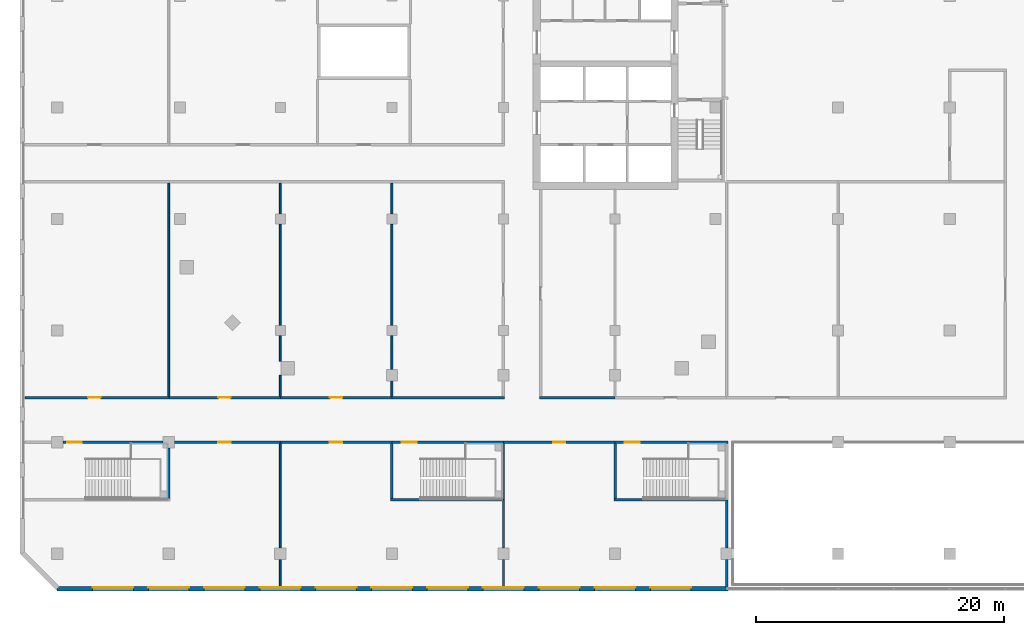
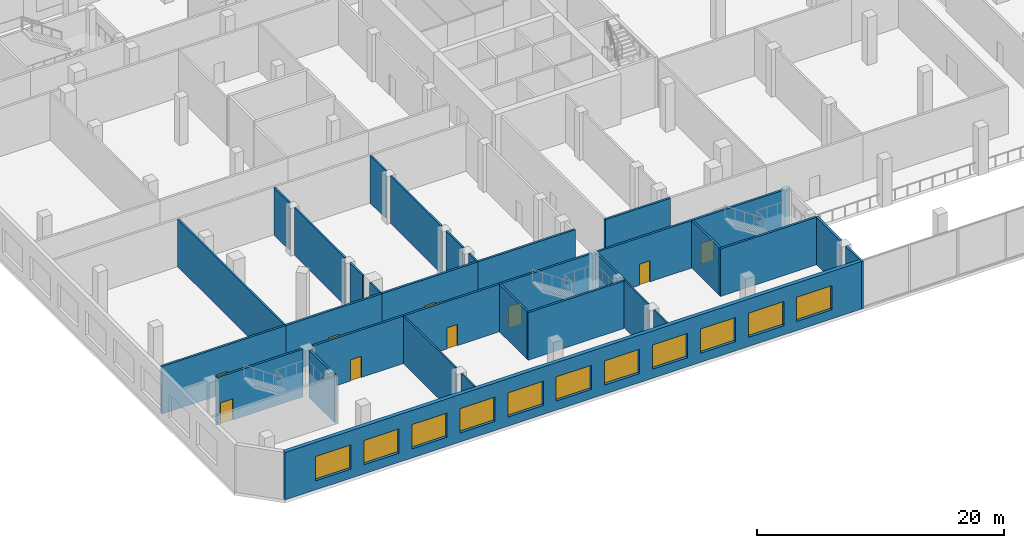
# One storey, part 6 of 23: 33 walls, 11 windows, 9 doors, 20 openings.
"""IFC4 building model written with IfcOpenShell, lengths in metres."""

import ifcopenshell
import ifcopenshell.guid

model = None  # the IFC model being written
_history = None  # IfcOwnerHistory: only IFC2X3 demands one
_inside = {}  # id of a spatial element -> (the spatial element, [elements in it])
_under = {}  # id of a project, library or spatial element -> (it, [spatial elements below it])
_declared = {}  # id of a project -> (the project, [libraries it declares])
_typed = {}  # id of a type object -> (the type object, [elements of that type])
_made_of = {}  # id of a material, layer set ... -> (it, [elements and type objects made of it])


def new_model(schema):
    """Start an empty IFC model of exactly this schema.

    Asked for "IFC4X3", IfcOpenShell would pick the latest addendum, in which some entities
    have other attributes; the version numbers below select the first issue.
    IFC2X3 requires an IfcOwnerHistory on every rooted entity: one is made here for all.
    """
    global model, _history
    if schema == "IFC4X3":
        model = ifcopenshell.file(schema_version=(4, 3, 0, 0))
    else:
        model = ifcopenshell.file(schema=schema)
    _inside.clear()
    _under.clear()
    _declared.clear()
    _typed.clear()
    _made_of.clear()
    _history = None
    if model.schema == "IFC2X3":
        org = make("IfcOrganization", Name="unknown")
        user = make(
            "IfcPersonAndOrganization",
            ThePerson=make("IfcPerson", FamilyName="unknown"),
            TheOrganization=org,
        )
        app = make(
            "IfcApplication",
            ApplicationDeveloper=org,
            Version="unknown",
            ApplicationFullName="unknown",
            ApplicationIdentifier="unknown",
        )
        _history = make(
            "IfcOwnerHistory",
            OwningUser=user,
            OwningApplication=app,
            ChangeAction="ADDED",
            CreationDate=0,
        )
    return model


def make(cls, **values):
    """One entity of the class cls with the attributes given. An attribute that is None is left unset."""
    return model.create_entity(
        cls, **{name: value for name, value in values.items() if value is not None}
    )


def rooted(cls, **values):
    """An entity with a GlobalId (a new one), such as an element, a storey or a relation."""
    return make(cls, GlobalId=ifcopenshell.guid.new(), OwnerHistory=_history, **values)


def si_unit(unit_type, name, prefix=None):
    """IfcSIUnit, for example si_unit("LENGTHUNIT", "METRE", prefix="MILLI")."""
    return make("IfcSIUnit", UnitType=unit_type, Prefix=prefix, Name=name)


def assignment(units):
    """IfcUnitAssignment: the units of a project."""
    return None if units is None else make("IfcUnitAssignment", Units=units)


def point(xyz):
    """IfcCartesianPoint."""
    return None if xyz is None else make("IfcCartesianPoint", Coordinates=xyz)


def direction(xyz):
    """IfcDirection."""
    return None if xyz is None else make("IfcDirection", DirectionRatios=xyz)


def frame(location, z_axis=None, x_axis=None):
    """IfcAxis2Placement3D, a coordinate frame: its origin and axes. An axis left out is left unset."""
    return make(
        "IfcAxis2Placement3D",
        Location=point(location),
        Axis=direction(z_axis),
        RefDirection=direction(x_axis),
    )


def frame_2d(location, x_axis=None):
    """IfcAxis2Placement2D, a coordinate frame in the plane: its origin and x axis."""
    return make(
        "IfcAxis2Placement2D", Location=point(location), RefDirection=direction(x_axis)
    )


def origin():
    """The frame at (0, 0, 0) with its axes left unset."""
    return frame((0.0, 0.0, 0.0))


def place(relative_to, where):
    """IfcLocalPlacement: puts the frame where relative to a parent placement (None: the world)."""
    return make(
        "IfcLocalPlacement", PlacementRelTo=relative_to, RelativePlacement=where
    )


def context(
    kind, dimensions, precision=None, world=None, true_north=None, identifier=None
):
    """IfcGeometricRepresentationContext, for example the 3D "Model" context."""
    return make(
        "IfcGeometricRepresentationContext",
        ContextIdentifier=identifier,
        ContextType=kind,
        CoordinateSpaceDimension=dimensions,
        Precision=precision,
        WorldCoordinateSystem=world,
        TrueNorth=true_north,
    )


def subcontext(parent, identifier, kind, view, scale=None):
    """IfcGeometricRepresentationSubContext, for example "Body" below "Model"."""
    return make(
        "IfcGeometricRepresentationSubContext",
        ContextIdentifier=identifier,
        ContextType=kind,
        ParentContext=parent,
        TargetScale=scale,
        TargetView=view,
    )


def project(units=None, contexts=None):
    """IfcProject with its units and contexts."""
    return rooted(
        "IfcProject",
        Name="project",
        RepresentationContexts=contexts,
        UnitsInContext=assignment(units),
    )


def spatial(cls, under=None, at=None, **own):
    """A site, building, storey or space (cls), placed at a placement, below another one or the project."""
    s = rooted(cls, ObjectPlacement=at, **own)
    if under is not None:
        _under.setdefault(under.id(), (under, []))[1].append(s)
    return s


def profile(cls, at=None, kind="AREA", **sizes):
    """A parametric profile (cls). Its sizes go by their IFC names, for example OverallWidth=200.0."""
    return make(cls, ProfileType=kind, Position=at, **sizes)


def rectangle(**sizes):
    """IfcRectangleProfileDef."""
    return profile("IfcRectangleProfileDef", **sizes)


def extrude(swept, where, along, depth):
    """IfcExtrudedAreaSolid: the profile swept, set in the frame where, extruded along a direction by depth."""
    return make(
        "IfcExtrudedAreaSolid",
        SweptArea=swept,
        Position=where,
        ExtrudedDirection=direction(along),
        Depth=depth,
    )


def shape(context_of_items, identifier, shape_type, items):
    """IfcShapeRepresentation: the items that make up one representation, for example the "Body"."""
    return make(
        "IfcShapeRepresentation",
        ContextOfItems=context_of_items,
        RepresentationIdentifier=identifier,
        RepresentationType=shape_type,
        Items=items,
    )


def material(Name=None, Category=None):
    """IfcMaterial."""
    return make("IfcMaterial", Name=Name, Category=Category)


def layer(
    of_material, thickness, ventilated=None, Name=None, Category=None, Priority=None
):
    """IfcMaterialLayer: one layer of a wall or slab, of a material (None: an air gap)."""
    return make(
        "IfcMaterialLayer",
        Material=of_material,
        LayerThickness=thickness,
        IsVentilated=ventilated,
        Name=Name,
        Category=Category,
        Priority=Priority,
    )


def layer_set(layers, Name=None):
    """IfcMaterialLayerSet."""
    return make("IfcMaterialLayerSet", MaterialLayers=layers, LayerSetName=Name)


def made_of(thing, what):
    """Note that an element or type object is made of a material, layer set ...; save() writes the relation."""
    if what is not None:
        _made_of.setdefault(what.id(), (what, []))[1].append(thing)
    return thing


def type_object(cls, material=None, **own):
    """A type object (cls), such as IfcWallType, which elements share."""
    return made_of(rooted(cls, **own), material)


def element(
    cls,
    number,
    at=None,
    inside=None,
    cuts=None,
    type_object=None,
    material=None,
    context=None,
    identifier="Body",
    shape_type=None,
    held_by="IfcProductDefinitionShape",
    body=None,
    shapes=None,
    **own,
):
    """One element of the class cls, such as IfcWall. Its Tag is "e" and its number.

    at: its placement. inside: the storey or other place that contains it. cuts: it is an
    opening in that element (IfcRelVoidsElement). A single representation is given by context,
    identifier, shape_type and body (its items); several are given by shapes. held_by: the class
    of the entity that holds the representations. save() writes the other relations.
    """
    e = rooted(cls, Tag="e%d" % number, ObjectPlacement=at, **own)
    if body is not None:
        shapes = [shape(context, identifier, shape_type, body)]
    if shapes is not None:
        e.Representation = make(held_by, Representations=shapes)
    if inside is not None:
        _inside.setdefault(inside.id(), (inside, []))[1].append(e)
    if cuts is not None:
        rooted(
            "IfcRelVoidsElement", RelatingBuildingElement=cuts, RelatedOpeningElement=e
        )
    if type_object is not None:
        _typed.setdefault(type_object.id(), (type_object, []))[1].append(e)
    return made_of(e, material)


def fill(opening, filler):
    """IfcRelFillsElement: the door or window that sits in an opening."""
    return rooted(
        "IfcRelFillsElement",
        RelatingOpeningElement=opening,
        RelatedBuildingElement=filler,
    )


def aggregate(whole, parts):
    """IfcRelAggregates: a whole, such as a stair, and the parts it consists of."""
    return rooted("IfcRelAggregates", RelatingObject=whole, RelatedObjects=parts)


def save(model, path):
    """Write the relations noted so far, then the file.

    IfcRelAggregates (storeys below a building ...), IfcRelContainedInSpatialStructure (elements
    in a storey), IfcRelDefinesByType, IfcRelAssociatesMaterial and IfcRelDeclares: one each for
    every whole, place, type object, material and project.
    """
    for whole, parts in _under.values():
        aggregate(whole, parts)
    for where, things in _inside.values():
        rooted(
            "IfcRelContainedInSpatialStructure",
            RelatedElements=things,
            RelatingStructure=where,
        )
    for kind, things in _typed.values():
        rooted("IfcRelDefinesByType", RelatedObjects=things, RelatingType=kind)
    for what, things in _made_of.values():
        rooted("IfcRelAssociatesMaterial", RelatedObjects=things, RelatingMaterial=what)
    for by, libraries in _declared.values():
        rooted("IfcRelDeclares", RelatingContext=by, RelatedDefinitions=libraries)
    model.write(path)


model = new_model("IFC4")

# Units and contexts
model_context = context("Model", 3, precision=1e-05, world=origin(), true_north=direction((0.0, 1.0)))
body_context = subcontext(model_context, "Body", "Model", "MODEL_VIEW")
ifc_project = project(units=[si_unit("LENGTHUNIT", "METRE"), si_unit("AREAUNIT", "SQUARE_METRE"), si_unit("VOLUMEUNIT", "CUBIC_METRE"), si_unit("PLANEANGLEUNIT", "RADIAN"), si_unit("MASSUNIT", "GRAM", prefix="KILO")], contexts=[model_context])

# Site, building, storey
site_placement = place(None, origin())
site = spatial("IfcSite", under=ifc_project, at=site_placement, CompositionType="ELEMENT")
building_placement = place(site_placement, origin())
building = spatial("IfcBuilding", under=site, at=building_placement, Name="Cinnabar Reach Civic Tower", CompositionType="ELEMENT")
storey_placement = place(building_placement, frame((0.0, 0.0, 6.0)))
storey = spatial("IfcBuildingStorey", under=building, at=storey_placement, Name="L01", CompositionType="ELEMENT", Elevation=6.0)

# Wall, openings, windows
ifc_material_1 = material(Name="Facing brick with insulated backing", Category="masonry")
ifc_layer_1 = layer(ifc_material_1, 0.36)
ifc_layer_set_1 = layer_set([ifc_layer_1], Name="Brick pier and spandrel wall")
wall_type_1 = type_object("IfcWallType", Name="Brick pier and spandrel wall", PredefinedType="STANDARD", material=ifc_layer_set_1)
wall_1_placement = place(storey_placement, frame((-81.0, -11.82, 0.0), z_axis=(0.0, 0.0, 1.0), x_axis=(1.0, 0.0, 0.0)))
wall_1 = element("IfcWall", 1, at=wall_1_placement, inside=storey, type_object=wall_type_1, Name="Brick facade wall", PredefinedType="STANDARD", context=body_context, shape_type="SweptSolid", body=[
    extrude(rectangle(XDim=54.0, YDim=0.36, at=frame_2d((27.0, 0.0))), origin(), (0.0, 0.0, 1.0), 4.7),
])
opening_1_placement = place(wall_1_placement, frame((2.85, 0.0, 0.9)))
opening_1 = element("IfcOpeningElement", 2, at=opening_1_placement, cuts=wall_1, Name="Opening W2851", PredefinedType="OPENING", context=body_context, shape_type="SweptSolid", body=[
    extrude(rectangle(XDim=3.3, YDim=2.4, at=frame_2d((1.65, 1.2))), frame((0.0, 0.19, 0.0), z_axis=(0.0, -1.0, 0.0), x_axis=(1.0, 0.0, 0.0)), (0.0, 0.0, 1.0), 0.38),
])
opening_2_placement = place(wall_1_placement, frame((7.35, 0.0, 0.9)))
opening_2 = element("IfcOpeningElement", 3, at=opening_2_placement, cuts=wall_1, Name="Opening W2852", PredefinedType="OPENING", context=body_context, shape_type="SweptSolid", body=[
    extrude(rectangle(XDim=3.3, YDim=2.4, at=frame_2d((1.65, 1.2))), frame((0.0, 0.19, 0.0), z_axis=(0.0, -1.0, 0.0), x_axis=(1.0, 0.0, 0.0)), (0.0, 0.0, 1.0), 0.38),
])
opening_3_placement = place(wall_1_placement, frame((11.85, 0.0, 0.9)))
opening_3 = element("IfcOpeningElement", 4, at=opening_3_placement, cuts=wall_1, Name="Opening W2853", PredefinedType="OPENING", context=body_context, shape_type="SweptSolid", body=[
    extrude(rectangle(XDim=3.3, YDim=2.4, at=frame_2d((1.65, 1.2))), frame((0.0, 0.19, 0.0), z_axis=(0.0, -1.0, 0.0), x_axis=(1.0, 0.0, 0.0)), (0.0, 0.0, 1.0), 0.38),
])
opening_4_placement = place(wall_1_placement, frame((16.35, 0.0, 0.9)))
opening_4 = element("IfcOpeningElement", 5, at=opening_4_placement, cuts=wall_1, Name="Opening W2854", PredefinedType="OPENING", context=body_context, shape_type="SweptSolid", body=[
    extrude(rectangle(XDim=3.3, YDim=2.4, at=frame_2d((1.65, 1.2))), frame((0.0, 0.19, 0.0), z_axis=(0.0, -1.0, 0.0), x_axis=(1.0, 0.0, 0.0)), (0.0, 0.0, 1.0), 0.38),
])
opening_5_placement = place(wall_1_placement, frame((20.85, 0.0, 0.9)))
opening_5 = element("IfcOpeningElement", 6, at=opening_5_placement, cuts=wall_1, Name="Opening W2855", PredefinedType="OPENING", context=body_context, shape_type="SweptSolid", body=[
    extrude(rectangle(XDim=3.3, YDim=2.4, at=frame_2d((1.65, 1.2))), frame((0.0, 0.19, 0.0), z_axis=(0.0, -1.0, 0.0), x_axis=(1.0, 0.0, 0.0)), (0.0, 0.0, 1.0), 0.38),
])
opening_6_placement = place(wall_1_placement, frame((25.35, 0.0, 0.9)))
opening_6 = element("IfcOpeningElement", 7, at=opening_6_placement, cuts=wall_1, Name="Opening W2856", PredefinedType="OPENING", context=body_context, shape_type="SweptSolid", body=[
    extrude(rectangle(XDim=3.3, YDim=2.4, at=frame_2d((1.65, 1.2))), frame((0.0, 0.19, 0.0), z_axis=(0.0, -1.0, 0.0), x_axis=(1.0, 0.0, 0.0)), (0.0, 0.0, 1.0), 0.38),
])
opening_7_placement = place(wall_1_placement, frame((29.85, 0.0, 0.9)))
opening_7 = element("IfcOpeningElement", 8, at=opening_7_placement, cuts=wall_1, Name="Opening W2857", PredefinedType="OPENING", context=body_context, shape_type="SweptSolid", body=[
    extrude(rectangle(XDim=3.3, YDim=2.4, at=frame_2d((1.65, 1.2))), frame((0.0, 0.19, 0.0), z_axis=(0.0, -1.0, 0.0), x_axis=(1.0, 0.0, 0.0)), (0.0, 0.0, 1.0), 0.38),
])
opening_8_placement = place(wall_1_placement, frame((34.35, 0.0, 0.9)))
opening_8 = element("IfcOpeningElement", 9, at=opening_8_placement, cuts=wall_1, Name="Opening W2858", PredefinedType="OPENING", context=body_context, shape_type="SweptSolid", body=[
    extrude(rectangle(XDim=3.3, YDim=2.4, at=frame_2d((1.65, 1.2))), frame((0.0, 0.19, 0.0), z_axis=(0.0, -1.0, 0.0), x_axis=(1.0, 0.0, 0.0)), (0.0, 0.0, 1.0), 0.38),
])
opening_9_placement = place(wall_1_placement, frame((38.85, 0.0, 0.9)))
opening_9 = element("IfcOpeningElement", 10, at=opening_9_placement, cuts=wall_1, Name="Opening W2859", PredefinedType="OPENING", context=body_context, shape_type="SweptSolid", body=[
    extrude(rectangle(XDim=3.3, YDim=2.4, at=frame_2d((1.65, 1.2))), frame((0.0, 0.19, 0.0), z_axis=(0.0, -1.0, 0.0), x_axis=(1.0, 0.0, 0.0)), (0.0, 0.0, 1.0), 0.38),
])
opening_10_placement = place(wall_1_placement, frame((43.35, 0.0, 0.9)))
opening_10 = element("IfcOpeningElement", 11, at=opening_10_placement, cuts=wall_1, Name="Opening W2860", PredefinedType="OPENING", context=body_context, shape_type="SweptSolid", body=[
    extrude(rectangle(XDim=3.3, YDim=2.4, at=frame_2d((1.65, 1.2))), frame((0.0, 0.19, 0.0), z_axis=(0.0, -1.0, 0.0), x_axis=(1.0, 0.0, 0.0)), (0.0, 0.0, 1.0), 0.38),
])
opening_11_placement = place(wall_1_placement, frame((47.85, 0.0, 0.9)))
opening_11 = element("IfcOpeningElement", 12, at=opening_11_placement, cuts=wall_1, Name="Opening W2861", PredefinedType="OPENING", context=body_context, shape_type="SweptSolid", body=[
    extrude(rectangle(XDim=3.3, YDim=2.4, at=frame_2d((1.65, 1.2))), frame((0.0, 0.19, 0.0), z_axis=(0.0, -1.0, 0.0), x_axis=(1.0, 0.0, 0.0)), (0.0, 0.0, 1.0), 0.38),
])
ifc_material_2 = material(Name="Clear double glazing in aluminium frame", Category="aluminium")
window_type = type_object("IfcWindowType", Name="Podium window P", PartitioningType="SINGLE_PANEL", PredefinedType="WINDOW", material=ifc_material_2)
window_1_placement = place(opening_1_placement, origin())
window_1 = element("IfcWindow", 13, at=window_1_placement, inside=storey, type_object=window_type, Name="Window south face", OverallHeight=2.4, OverallWidth=3.3, PartitioningType="SINGLE_PANEL", PredefinedType="WINDOW", context=body_context, shape_type="SweptSolid", body=[
    extrude(rectangle(XDim=3.3, YDim=2.4, at=frame_2d((1.65, 1.2))), frame((0.0, 0.13, 0.0), z_axis=(0.0, -1.0, 0.0), x_axis=(1.0, 0.0, 0.0)), (0.0, 0.0, 1.0), 0.06),
])
fill(opening_1, window_1)
window_2_placement = place(opening_2_placement, origin())
window_2 = element("IfcWindow", 14, at=window_2_placement, inside=storey, type_object=window_type, Name="Window south face", OverallHeight=2.4, OverallWidth=3.3, PartitioningType="SINGLE_PANEL", PredefinedType="WINDOW", context=body_context, shape_type="SweptSolid", body=[
    extrude(rectangle(XDim=3.3, YDim=2.4, at=frame_2d((1.65, 1.2))), frame((0.0, 0.13, 0.0), z_axis=(0.0, -1.0, 0.0), x_axis=(1.0, 0.0, 0.0)), (0.0, 0.0, 1.0), 0.06),
])
fill(opening_2, window_2)
window_3_placement = place(opening_3_placement, origin())
window_3 = element("IfcWindow", 15, at=window_3_placement, inside=storey, type_object=window_type, Name="Window south face", OverallHeight=2.4, OverallWidth=3.3, PartitioningType="SINGLE_PANEL", PredefinedType="WINDOW", context=body_context, shape_type="SweptSolid", body=[
    extrude(rectangle(XDim=3.3, YDim=2.4, at=frame_2d((1.65, 1.2))), frame((0.0, 0.13, 0.0), z_axis=(0.0, -1.0, 0.0), x_axis=(1.0, 0.0, 0.0)), (0.0, 0.0, 1.0), 0.06),
])
fill(opening_3, window_3)
window_4_placement = place(opening_4_placement, origin())
window_4 = element("IfcWindow", 16, at=window_4_placement, inside=storey, type_object=window_type, Name="Window south face", OverallHeight=2.4, OverallWidth=3.3, PartitioningType="SINGLE_PANEL", PredefinedType="WINDOW", context=body_context, shape_type="SweptSolid", body=[
    extrude(rectangle(XDim=3.3, YDim=2.4, at=frame_2d((1.65, 1.2))), frame((0.0, 0.13, 0.0), z_axis=(0.0, -1.0, 0.0), x_axis=(1.0, 0.0, 0.0)), (0.0, 0.0, 1.0), 0.06),
])
fill(opening_4, window_4)
window_5_placement = place(opening_5_placement, origin())
window_5 = element("IfcWindow", 17, at=window_5_placement, inside=storey, type_object=window_type, Name="Window south face", OverallHeight=2.4, OverallWidth=3.3, PartitioningType="SINGLE_PANEL", PredefinedType="WINDOW", context=body_context, shape_type="SweptSolid", body=[
    extrude(rectangle(XDim=3.3, YDim=2.4, at=frame_2d((1.65, 1.2))), frame((0.0, 0.13, 0.0), z_axis=(0.0, -1.0, 0.0), x_axis=(1.0, 0.0, 0.0)), (0.0, 0.0, 1.0), 0.06),
])
fill(opening_5, window_5)
window_6_placement = place(opening_6_placement, origin())
window_6 = element("IfcWindow", 18, at=window_6_placement, inside=storey, type_object=window_type, Name="Window south face", OverallHeight=2.4, OverallWidth=3.3, PartitioningType="SINGLE_PANEL", PredefinedType="WINDOW", context=body_context, shape_type="SweptSolid", body=[
    extrude(rectangle(XDim=3.3, YDim=2.4, at=frame_2d((1.65, 1.2))), frame((0.0, 0.13, 0.0), z_axis=(0.0, -1.0, 0.0), x_axis=(1.0, 0.0, 0.0)), (0.0, 0.0, 1.0), 0.06),
])
fill(opening_6, window_6)
window_7_placement = place(opening_7_placement, origin())
window_7 = element("IfcWindow", 19, at=window_7_placement, inside=storey, type_object=window_type, Name="Window south face", OverallHeight=2.4, OverallWidth=3.3, PartitioningType="SINGLE_PANEL", PredefinedType="WINDOW", context=body_context, shape_type="SweptSolid", body=[
    extrude(rectangle(XDim=3.3, YDim=2.4, at=frame_2d((1.65, 1.2))), frame((0.0, 0.13, 0.0), z_axis=(0.0, -1.0, 0.0), x_axis=(1.0, 0.0, 0.0)), (0.0, 0.0, 1.0), 0.06),
])
fill(opening_7, window_7)
window_8_placement = place(opening_8_placement, origin())
window_8 = element("IfcWindow", 20, at=window_8_placement, inside=storey, type_object=window_type, Name="Window south face", OverallHeight=2.4, OverallWidth=3.3, PartitioningType="SINGLE_PANEL", PredefinedType="WINDOW", context=body_context, shape_type="SweptSolid", body=[
    extrude(rectangle(XDim=3.3, YDim=2.4, at=frame_2d((1.65, 1.2))), frame((0.0, 0.13, 0.0), z_axis=(0.0, -1.0, 0.0), x_axis=(1.0, 0.0, 0.0)), (0.0, 0.0, 1.0), 0.06),
])
fill(opening_8, window_8)
window_9_placement = place(opening_9_placement, origin())
window_9 = element("IfcWindow", 21, at=window_9_placement, inside=storey, type_object=window_type, Name="Window south face", OverallHeight=2.4, OverallWidth=3.3, PartitioningType="SINGLE_PANEL", PredefinedType="WINDOW", context=body_context, shape_type="SweptSolid", body=[
    extrude(rectangle(XDim=3.3, YDim=2.4, at=frame_2d((1.65, 1.2))), frame((0.0, 0.13, 0.0), z_axis=(0.0, -1.0, 0.0), x_axis=(1.0, 0.0, 0.0)), (0.0, 0.0, 1.0), 0.06),
])
fill(opening_9, window_9)
window_10_placement = place(opening_10_placement, origin())
window_10 = element("IfcWindow", 22, at=window_10_placement, inside=storey, type_object=window_type, Name="Window south face", OverallHeight=2.4, OverallWidth=3.3, PartitioningType="SINGLE_PANEL", PredefinedType="WINDOW", context=body_context, shape_type="SweptSolid", body=[
    extrude(rectangle(XDim=3.3, YDim=2.4, at=frame_2d((1.65, 1.2))), frame((0.0, 0.13, 0.0), z_axis=(0.0, -1.0, 0.0), x_axis=(1.0, 0.0, 0.0)), (0.0, 0.0, 1.0), 0.06),
])
fill(opening_10, window_10)
window_11_placement = place(opening_11_placement, origin())
window_11 = element("IfcWindow", 23, at=window_11_placement, inside=storey, type_object=window_type, Name="Window south face", OverallHeight=2.4, OverallWidth=3.3, PartitioningType="SINGLE_PANEL", PredefinedType="WINDOW", context=body_context, shape_type="SweptSolid", body=[
    extrude(rectangle(XDim=3.3, YDim=2.4, at=frame_2d((1.65, 1.2))), frame((0.0, 0.13, 0.0), z_axis=(0.0, -1.0, 0.0), x_axis=(1.0, 0.0, 0.0)), (0.0, 0.0, 1.0), 0.06),
])
fill(opening_11, window_11)

# Walls
ifc_material_3 = material(Name="Concrete blockwork", Category="masonry")
ifc_layer_2 = layer(ifc_material_3, 0.2)
ifc_layer_set_2 = layer_set([ifc_layer_2], Name="Podium masonry corridor wall 200 EI 120")
wall_type_2 = type_object("IfcWallType", Name="Podium masonry corridor wall 200 EI 120", PredefinedType="PARTITIONING", material=ifc_layer_set_2)
wall_2_placement = place(storey_placement, frame((-27.0, -12.0, 0.0), z_axis=(0.0, 0.0, 1.0), x_axis=(0.0, 1.0, 0.0)))
element("IfcWall", 24, at=wall_2_placement, inside=storey, type_object=wall_type_2, Name="Wall L01 41", PredefinedType="PARTITIONING", context=body_context, shape_type="SweptSolid", body=[
    extrude(rectangle(XDim=2.53, YDim=0.2, at=frame_2d((1.265, 0.0))), origin(), (0.0, 0.0, 1.0), 4.7),
])
wall_3_placement = place(storey_placement, frame((-27.0, -8.53, 0.0), z_axis=(0.0, 0.0, 1.0), x_axis=(0.0, 1.0, 0.0)))
element("IfcWall", 25, at=wall_3_placement, inside=storey, type_object=wall_type_2, Name="Wall L01 42", PredefinedType="PARTITIONING", context=body_context, shape_type="SweptSolid", body=[
    extrude(rectangle(XDim=3.88, YDim=0.2, at=frame_2d((1.94, 0.0))), origin(), (0.0, 0.0, 1.0), 4.7),
])

# Wall, opening, door
wall_4_placement = place(storey_placement, frame((-71.53, 0.0, 0.0), z_axis=(0.0, 0.0, 1.0), x_axis=(1.0, 0.0, 0.0)))
wall_4 = element("IfcWall", 26, at=wall_4_placement, inside=storey, type_object=wall_type_2, Name="Wall L01 45", PredefinedType="PARTITIONING", context=body_context, shape_type="SweptSolid", body=[
    extrude(rectangle(XDim=8.53, YDim=0.2, at=frame_2d((4.265, 0.0))), origin(), (0.0, 0.0, 1.0), 4.7),
])
opening_12_placement = place(wall_4_placement, frame((3.53, 0.0, 0.0)))
opening_12 = element("IfcOpeningElement", 27, at=opening_12_placement, cuts=wall_4, Name="Opening D1050", PredefinedType="OPENING", context=body_context, shape_type="SweptSolid", body=[
    extrude(rectangle(XDim=1.0, YDim=2.1, at=frame_2d((0.5, 1.05))), frame((0.0, 0.11, 0.0), z_axis=(0.0, -1.0, 0.0), x_axis=(1.0, 0.0, 0.0)), (0.0, 0.0, 1.0), 0.22),
])
ifc_material_4 = material(Name="Painted steel door leaf", Category="steel")
door_type_1 = type_object("IfcDoorType", Name="Podium single door 1000x2100", OperationType="SINGLE_SWING_LEFT", PredefinedType="DOOR", material=ifc_material_4)
door_1_placement = place(opening_12_placement, frame((1.0, 0.0, 0.0), z_axis=(0.0, 0.0, 1.0), x_axis=(-1.0, 0.0, 0.0)))
door_1 = element("IfcDoor", 28, at=door_1_placement, inside=storey, type_object=door_type_1, Name="Door D1050", OperationType="SINGLE_SWING_LEFT", OverallHeight=2.1, OverallWidth=1.0, PredefinedType="DOOR", context=body_context, shape_type="SweptSolid", body=[
    extrude(rectangle(XDim=1.0, YDim=2.1, at=frame_2d((0.5, 1.05))), frame((0.0, 0.025, 0.0), z_axis=(0.0, -1.0, 0.0), x_axis=(1.0, 0.0, 0.0)), (0.0, 0.0, 1.0), 0.05),
])
fill(opening_12, door_1)

wall_5_placement = place(storey_placement, frame((-63.0, 0.0, 0.0), z_axis=(0.0, 0.0, 1.0), x_axis=(1.0, 0.0, 0.0)))
wall_5 = element("IfcWall", 29, at=wall_5_placement, inside=storey, type_object=wall_type_2, Name="Wall L01 46", PredefinedType="PARTITIONING", context=body_context, shape_type="SweptSolid", body=[
    extrude(rectangle(XDim=9.0, YDim=0.2, at=frame_2d((4.5, 0.0))), origin(), (0.0, 0.0, 1.0), 4.7),
])
opening_13_placement = place(wall_5_placement, frame((4.0, 0.0, 0.0)))
opening_13 = element("IfcOpeningElement", 30, at=opening_13_placement, cuts=wall_5, Name="Opening D1051", PredefinedType="OPENING", context=body_context, shape_type="SweptSolid", body=[
    extrude(rectangle(XDim=1.0, YDim=2.1, at=frame_2d((0.5, 1.05))), frame((0.0, 0.11, 0.0), z_axis=(0.0, -1.0, 0.0), x_axis=(1.0, 0.0, 0.0)), (0.0, 0.0, 1.0), 0.22),
])
door_2_placement = place(opening_13_placement, frame((1.0, 0.0, 0.0), z_axis=(0.0, 0.0, 1.0), x_axis=(-1.0, 0.0, 0.0)))
door_2 = element("IfcDoor", 31, at=door_2_placement, inside=storey, type_object=door_type_1, Name="Door D1051", OperationType="SINGLE_SWING_RIGHT", OverallHeight=2.1, OverallWidth=1.0, PredefinedType="DOOR", context=body_context, shape_type="SweptSolid", body=[
    extrude(rectangle(XDim=1.0, YDim=2.1, at=frame_2d((0.5, 1.05))), frame((0.0, 0.025, 0.0), z_axis=(0.0, -1.0, 0.0), x_axis=(1.0, 0.0, 0.0)), (0.0, 0.0, 1.0), 0.05),
])
fill(opening_13, door_2)

wall_6_placement = place(storey_placement, frame((-45.0, 0.0, 0.0), z_axis=(0.0, 0.0, 1.0), x_axis=(1.0, 0.0, 0.0)))
wall_6 = element("IfcWall", 32, at=wall_6_placement, inside=storey, type_object=wall_type_2, Name="Wall L01 47", PredefinedType="PARTITIONING", context=body_context, shape_type="SweptSolid", body=[
    extrude(rectangle(XDim=9.0, YDim=0.2, at=frame_2d((4.5, 0.0))), origin(), (0.0, 0.0, 1.0), 4.7),
])
opening_14_placement = place(wall_6_placement, frame((4.0, 0.0, 0.0)))
opening_14 = element("IfcOpeningElement", 33, at=opening_14_placement, cuts=wall_6, Name="Opening D1052", PredefinedType="OPENING", context=body_context, shape_type="SweptSolid", body=[
    extrude(rectangle(XDim=1.0, YDim=2.1, at=frame_2d((0.5, 1.05))), frame((0.0, 0.11, 0.0), z_axis=(0.0, -1.0, 0.0), x_axis=(1.0, 0.0, 0.0)), (0.0, 0.0, 1.0), 0.22),
])
door_3_placement = place(opening_14_placement, frame((1.0, 0.0, 0.0), z_axis=(0.0, 0.0, 1.0), x_axis=(-1.0, 0.0, 0.0)))
door_3 = element("IfcDoor", 34, at=door_3_placement, inside=storey, type_object=door_type_1, Name="Door D1052", OperationType="SINGLE_SWING_RIGHT", OverallHeight=2.1, OverallWidth=1.0, PredefinedType="DOOR", context=body_context, shape_type="SweptSolid", body=[
    extrude(rectangle(XDim=1.0, YDim=2.1, at=frame_2d((0.5, 1.05))), frame((0.0, 0.025, 0.0), z_axis=(0.0, -1.0, 0.0), x_axis=(1.0, 0.0, 0.0)), (0.0, 0.0, 1.0), 0.05),
])
fill(opening_14, door_3)

wall_7_placement = place(storey_placement, frame((-83.6, 3.6, 0.0), z_axis=(0.0, 0.0, 1.0), x_axis=(1.0, 0.0, 0.0)))
wall_7 = element("IfcWall", 35, at=wall_7_placement, inside=storey, type_object=wall_type_2, Name="Wall L01 48", PredefinedType="PARTITIONING", context=body_context, shape_type="SweptSolid", body=[
    extrude(rectangle(XDim=11.6, YDim=0.2, at=frame_2d((5.8, 0.0))), origin(), (0.0, 0.0, 1.0), 4.7),
])
opening_15_placement = place(wall_7_placement, frame((5.1, 0.0, 0.0)))
opening_15 = element("IfcOpeningElement", 36, at=opening_15_placement, cuts=wall_7, Name="Opening D1058", PredefinedType="OPENING", context=body_context, shape_type="SweptSolid", body=[
    extrude(rectangle(XDim=1.0, YDim=2.1, at=frame_2d((0.5, 1.05))), frame((0.0, 0.11, 0.0), z_axis=(0.0, -1.0, 0.0), x_axis=(1.0, 0.0, 0.0)), (0.0, 0.0, 1.0), 0.22),
])
door_4_placement = place(opening_15_placement, origin())
door_4 = element("IfcDoor", 37, at=door_4_placement, inside=storey, type_object=door_type_1, Name="Door D1058", OperationType="SINGLE_SWING_LEFT", OverallHeight=2.1, OverallWidth=1.0, PredefinedType="DOOR", context=body_context, shape_type="SweptSolid", body=[
    extrude(rectangle(XDim=1.0, YDim=2.1, at=frame_2d((0.5, 1.05))), frame((0.0, 0.025, 0.0), z_axis=(0.0, -1.0, 0.0), x_axis=(1.0, 0.0, 0.0)), (0.0, 0.0, 1.0), 0.05),
])
fill(opening_15, door_4)

wall_8_placement = place(storey_placement, frame((-72.0, 3.6, 0.0), z_axis=(0.0, 0.0, 1.0), x_axis=(1.0, 0.0, 0.0)))
wall_8 = element("IfcWall", 38, at=wall_8_placement, inside=storey, type_object=wall_type_2, Name="Wall L01 49", PredefinedType="PARTITIONING", context=body_context, shape_type="SweptSolid", body=[
    extrude(rectangle(XDim=9.0, YDim=0.2, at=frame_2d((4.5, 0.0))), origin(), (0.0, 0.0, 1.0), 4.7),
])
opening_16_placement = place(wall_8_placement, frame((4.0, 0.0, 0.0)))
opening_16 = element("IfcOpeningElement", 39, at=opening_16_placement, cuts=wall_8, Name="Opening D1059", PredefinedType="OPENING", context=body_context, shape_type="SweptSolid", body=[
    extrude(rectangle(XDim=1.0, YDim=2.1, at=frame_2d((0.5, 1.05))), frame((0.0, 0.11, 0.0), z_axis=(0.0, -1.0, 0.0), x_axis=(1.0, 0.0, 0.0)), (0.0, 0.0, 1.0), 0.22),
])
door_5_placement = place(opening_16_placement, origin())
door_5 = element("IfcDoor", 40, at=door_5_placement, inside=storey, type_object=door_type_1, Name="Door D1059", OperationType="SINGLE_SWING_LEFT", OverallHeight=2.1, OverallWidth=1.0, PredefinedType="DOOR", context=body_context, shape_type="SweptSolid", body=[
    extrude(rectangle(XDim=1.0, YDim=2.1, at=frame_2d((0.5, 1.05))), frame((0.0, 0.025, 0.0), z_axis=(0.0, -1.0, 0.0), x_axis=(1.0, 0.0, 0.0)), (0.0, 0.0, 1.0), 0.05),
])
fill(opening_16, door_5)

wall_9_placement = place(storey_placement, frame((-63.0, 3.6, 0.0), z_axis=(0.0, 0.0, 1.0), x_axis=(1.0, 0.0, 0.0)))
wall_9 = element("IfcWall", 41, at=wall_9_placement, inside=storey, type_object=wall_type_2, Name="Wall L01 50", PredefinedType="PARTITIONING", context=body_context, shape_type="SweptSolid", body=[
    extrude(rectangle(XDim=9.0, YDim=0.2, at=frame_2d((4.5, 0.0))), origin(), (0.0, 0.0, 1.0), 4.7),
])
opening_17_placement = place(wall_9_placement, frame((4.0, 0.0, 0.0)))
opening_17 = element("IfcOpeningElement", 42, at=opening_17_placement, cuts=wall_9, Name="Opening D1060", PredefinedType="OPENING", context=body_context, shape_type="SweptSolid", body=[
    extrude(rectangle(XDim=1.0, YDim=2.1, at=frame_2d((0.5, 1.05))), frame((0.0, 0.11, 0.0), z_axis=(0.0, -1.0, 0.0), x_axis=(1.0, 0.0, 0.0)), (0.0, 0.0, 1.0), 0.22),
])
door_6_placement = place(opening_17_placement, origin())
door_6 = element("IfcDoor", 43, at=door_6_placement, inside=storey, type_object=door_type_1, Name="Door D1060", OperationType="SINGLE_SWING_LEFT", OverallHeight=2.1, OverallWidth=1.0, PredefinedType="DOOR", context=body_context, shape_type="SweptSolid", body=[
    extrude(rectangle(XDim=1.0, YDim=2.1, at=frame_2d((0.5, 1.05))), frame((0.0, 0.025, 0.0), z_axis=(0.0, -1.0, 0.0), x_axis=(1.0, 0.0, 0.0)), (0.0, 0.0, 1.0), 0.05),
])
fill(opening_17, door_6)

# Walls
wall_10_placement = place(storey_placement, frame((-54.0, 3.6, 0.0), z_axis=(0.0, 0.0, 1.0), x_axis=(1.0, 0.0, 0.0)))
element("IfcWall", 44, at=wall_10_placement, inside=storey, type_object=wall_type_2, Name="Wall L01 51", PredefinedType="PARTITIONING", context=body_context, shape_type="SweptSolid", body=[
    extrude(rectangle(XDim=9.1, YDim=0.2, at=frame_2d((4.55, 0.0))), origin(), (0.0, 0.0, 1.0), 4.7),
])
wall_11_placement = place(storey_placement, frame((-42.1, 3.6, 0.0), z_axis=(0.0, 0.0, 1.0), x_axis=(1.0, 0.0, 0.0)))
element("IfcWall", 45, at=wall_11_placement, inside=storey, type_object=wall_type_2, Name="Wall L01 52", PredefinedType="PARTITIONING", context=body_context, shape_type="SweptSolid", body=[
    extrude(rectangle(XDim=6.1, YDim=0.2, at=frame_2d((3.05, 0.0))), origin(), (0.0, 0.0, 1.0), 4.7),
])
ifc_material_5 = material(Name="Gypsum board on steel studs", Category="steel")
ifc_layer_3 = layer(ifc_material_5, 0.15)
ifc_layer_set_3 = layer_set([ifc_layer_3], Name="Podium partition wall 150 EI 90")
wall_type_3 = type_object("IfcWallType", Name="Podium partition wall 150 EI 90", PredefinedType="PARTITIONING", material=ifc_layer_set_3)
wall_12_placement = place(storey_placement, frame((-63.0, -11.6, 0.0), z_axis=(0.0, 0.0, 1.0), x_axis=(0.0, 1.0, 0.0)))
element("IfcWall", 46, at=wall_12_placement, inside=storey, type_object=wall_type_3, Name="Wall L01 159", PredefinedType="PARTITIONING", context=body_context, shape_type="SweptSolid", body=[
    extrude(rectangle(XDim=2.13, YDim=0.15, at=frame_2d((1.065, 0.0))), origin(), (0.0, 0.0, 1.0), 4.7),
])
wall_13_placement = place(storey_placement, frame((-63.0, -8.53, 0.0), z_axis=(0.0, 0.0, 1.0), x_axis=(0.0, 1.0, 0.0)))
element("IfcWall", 47, at=wall_13_placement, inside=storey, type_object=wall_type_3, Name="Wall L01 160", PredefinedType="PARTITIONING", context=body_context, shape_type="SweptSolid", body=[
    extrude(rectangle(XDim=8.43, YDim=0.15, at=frame_2d((4.215, 0.0))), origin(), (0.0, 0.0, 1.0), 4.7),
])
wall_14_placement = place(storey_placement, frame((-45.0, -11.6, 0.0), z_axis=(0.0, 0.0, 1.0), x_axis=(0.0, 1.0, 0.0)))
element("IfcWall", 48, at=wall_14_placement, inside=storey, type_object=wall_type_3, Name="Wall L01 161", PredefinedType="PARTITIONING", context=body_context, shape_type="SweptSolid", body=[
    extrude(rectangle(XDim=2.13, YDim=0.15, at=frame_2d((1.065, 0.0))), origin(), (0.0, 0.0, 1.0), 4.7),
])
wall_15_placement = place(storey_placement, frame((-45.0, -8.53, 0.0), z_axis=(0.0, 0.0, 1.0), x_axis=(0.0, 1.0, 0.0)))
element("IfcWall", 49, at=wall_15_placement, inside=storey, type_object=wall_type_3, Name="Wall L01 162", PredefinedType="PARTITIONING", context=body_context, shape_type="SweptSolid", body=[
    extrude(rectangle(XDim=3.88, YDim=0.15, at=frame_2d((1.94, 0.0))), origin(), (0.0, 0.0, 1.0), 4.7),
])
wall_16_placement = place(storey_placement, frame((-72.0, 3.7, 0.0), z_axis=(0.0, 0.0, 1.0), x_axis=(0.0, 1.0, 0.0)))
element("IfcWall", 50, at=wall_16_placement, inside=storey, type_object=wall_type_3, Name="Wall L01 171", PredefinedType="PARTITIONING", context=body_context, shape_type="SweptSolid", body=[
    extrude(rectangle(XDim=17.2, YDim=0.15, at=frame_2d((8.6, 0.0))), origin(), (0.0, 0.0, 1.0), 4.7),
])
wall_17_placement = place(storey_placement, frame((-63.0, 3.7, 0.0), z_axis=(0.0, 0.0, 1.0), x_axis=(0.0, 1.0, 0.0)))
element("IfcWall", 51, at=wall_17_placement, inside=storey, type_object=wall_type_3, Name="Wall L01 172", PredefinedType="PARTITIONING", context=body_context, shape_type="SweptSolid", body=[
    extrude(rectangle(XDim=1.6831, YDim=0.15, at=frame_2d((0.8416, 0.0))), origin(), (0.0, 0.0, 1.0), 4.7),
])
wall_18_placement = place(storey_placement, frame((-63.0, 6.5231, 0.0), z_axis=(0.0, 0.0, 1.0), x_axis=(0.0, 1.0, 0.0)))
element("IfcWall", 52, at=wall_18_placement, inside=storey, type_object=wall_type_3, Name="Wall L01 173", PredefinedType="PARTITIONING", context=body_context, shape_type="SweptSolid", body=[
    extrude(rectangle(XDim=2.0569, YDim=0.15, at=frame_2d((1.0285, 0.0))), origin(), (0.0, 0.0, 1.0), 4.7),
])
wall_19_placement = place(storey_placement, frame((-63.0, 9.42, 0.0), z_axis=(0.0, 0.0, 1.0), x_axis=(0.0, 1.0, 0.0)))
element("IfcWall", 53, at=wall_19_placement, inside=storey, type_object=wall_type_3, Name="Wall L01 174", PredefinedType="PARTITIONING", context=body_context, shape_type="SweptSolid", body=[
    extrude(rectangle(XDim=8.16, YDim=0.15, at=frame_2d((4.08, 0.0))), origin(), (0.0, 0.0, 1.0), 4.7),
])
wall_20_placement = place(storey_placement, frame((-63.0, 18.42, 0.0), z_axis=(0.0, 0.0, 1.0), x_axis=(0.0, 1.0, 0.0)))
element("IfcWall", 54, at=wall_20_placement, inside=storey, type_object=wall_type_3, Name="Wall L01 175", PredefinedType="PARTITIONING", context=body_context, shape_type="SweptSolid", body=[
    extrude(rectangle(XDim=2.48, YDim=0.15, at=frame_2d((1.24, 0.0))), origin(), (0.0, 0.0, 1.0), 4.7),
])
wall_21_placement = place(storey_placement, frame((-54.0, 3.7, 0.0), z_axis=(0.0, 0.0, 1.0), x_axis=(0.0, 1.0, 0.0)))
element("IfcWall", 55, at=wall_21_placement, inside=storey, type_object=wall_type_3, Name="Wall L01 176", PredefinedType="PARTITIONING", context=body_context, shape_type="SweptSolid", body=[
    extrude(rectangle(XDim=1.23, YDim=0.15, at=frame_2d((0.615, 0.0))), origin(), (0.0, 0.0, 1.0), 4.7),
])
wall_22_placement = place(storey_placement, frame((-54.0, 5.87, 0.0), z_axis=(0.0, 0.0, 1.0), x_axis=(0.0, 1.0, 0.0)))
element("IfcWall", 56, at=wall_22_placement, inside=storey, type_object=wall_type_3, Name="Wall L01 177", PredefinedType="PARTITIONING", context=body_context, shape_type="SweptSolid", body=[
    extrude(rectangle(XDim=2.71, YDim=0.15, at=frame_2d((1.355, 0.0))), origin(), (0.0, 0.0, 1.0), 4.7),
])
wall_23_placement = place(storey_placement, frame((-54.0, 9.42, 0.0), z_axis=(0.0, 0.0, 1.0), x_axis=(0.0, 1.0, 0.0)))
element("IfcWall", 57, at=wall_23_placement, inside=storey, type_object=wall_type_3, Name="Wall L01 178", PredefinedType="PARTITIONING", context=body_context, shape_type="SweptSolid", body=[
    extrude(rectangle(XDim=8.16, YDim=0.15, at=frame_2d((4.08, 0.0))), origin(), (0.0, 0.0, 1.0), 4.7),
])
wall_24_placement = place(storey_placement, frame((-54.0, 18.42, 0.0), z_axis=(0.0, 0.0, 1.0), x_axis=(0.0, 1.0, 0.0)))
element("IfcWall", 58, at=wall_24_placement, inside=storey, type_object=wall_type_3, Name="Wall L01 179", PredefinedType="PARTITIONING", context=body_context, shape_type="SweptSolid", body=[
    extrude(rectangle(XDim=2.48, YDim=0.15, at=frame_2d((1.24, 0.0))), origin(), (0.0, 0.0, 1.0), 4.7),
])

# Wall, opening, door
ifc_material_6 = material(Name="Concrete C40", Category="concrete")
ifc_layer_4 = layer(ifc_material_6, 0.2)
ifc_layer_set_4 = layer_set([ifc_layer_4], Name="Podium stair shaft wall 200 EI 120")
wall_type_4 = type_object("IfcWallType", Name="Podium stair shaft wall 200 EI 120", PredefinedType="SOLIDWALL", material=ifc_layer_set_4)
wall_25_placement = place(storey_placement, frame((-80.53, 0.0, 0.0), z_axis=(0.0, 0.0, 1.0), x_axis=(1.0, 0.0, 0.0)))
wall_25 = element("IfcWall", 59, at=wall_25_placement, inside=storey, type_object=wall_type_4, Name="Wall L01 2", PredefinedType="SOLIDWALL", context=body_context, shape_type="SweptSolid", body=[
    extrude(rectangle(XDim=8.06, YDim=0.2, at=frame_2d((4.03, 0.0))), origin(), (0.0, 0.0, 1.0), 4.7),
])
opening_18_placement = place(wall_25_placement, frame((0.33, 0.0, 0.0)))
opening_18 = element("IfcOpeningElement", 60, at=opening_18_placement, cuts=wall_25, Name="Opening D1093", PredefinedType="OPENING", context=body_context, shape_type="SweptSolid", body=[
    extrude(rectangle(XDim=1.2, YDim=2.1, at=frame_2d((0.6, 1.05))), frame((0.0, 0.11, 0.0), z_axis=(0.0, -1.0, 0.0), x_axis=(1.0, 0.0, 0.0)), (0.0, 0.0, 1.0), 0.22),
])
door_type_2 = type_object("IfcDoorType", Name="Podium single door 1200x2100", OperationType="SINGLE_SWING_LEFT", PredefinedType="DOOR", material=ifc_material_4)
door_7_placement = place(opening_18_placement, frame((1.2, 0.0, 0.0), z_axis=(0.0, 0.0, 1.0), x_axis=(-1.0, 0.0, 0.0)))
door_7 = element("IfcDoor", 61, at=door_7_placement, inside=storey, type_object=door_type_2, Name="Door D1093", OperationType="SINGLE_SWING_RIGHT", OverallHeight=2.1, OverallWidth=1.2, PredefinedType="DOOR", context=body_context, shape_type="SweptSolid", body=[
    extrude(rectangle(XDim=1.2, YDim=2.1, at=frame_2d((0.6, 1.05))), frame((0.0, 0.025, 0.0), z_axis=(0.0, -1.0, 0.0), x_axis=(1.0, 0.0, 0.0)), (0.0, 0.0, 1.0), 0.05),
])
fill(opening_18, door_7)

# Wall
wall_26_placement = place(storey_placement, frame((-72.0, -4.55, 0.0), z_axis=(0.0, 0.0, 1.0), x_axis=(0.0, 1.0, 0.0)))
element("IfcWall", 62, at=wall_26_placement, inside=storey, type_object=wall_type_4, Name="Wall L01 3", PredefinedType="SOLIDWALL", context=body_context, shape_type="SweptSolid", body=[
    extrude(rectangle(XDim=4.08, YDim=0.2, at=frame_2d((2.04, 0.0))), origin(), (0.0, 0.0, 1.0), 4.7),
])

# Wall, opening, door
wall_27_placement = place(storey_placement, frame((-54.0, 0.0, 0.0), z_axis=(0.0, 0.0, 1.0), x_axis=(1.0, 0.0, 0.0)))
wall_27 = element("IfcWall", 63, at=wall_27_placement, inside=storey, type_object=wall_type_4, Name="Wall L01 33", PredefinedType="SOLIDWALL", context=body_context, shape_type="SweptSolid", body=[
    extrude(rectangle(XDim=9.0, YDim=0.2, at=frame_2d((4.5, 0.0))), origin(), (0.0, 0.0, 1.0), 4.7),
])
opening_19_placement = place(wall_27_placement, frame((0.8, 0.0, 0.0)))
opening_19 = element("IfcOpeningElement", 64, at=opening_19_placement, cuts=wall_27, Name="Opening D1100", PredefinedType="OPENING", context=body_context, shape_type="SweptSolid", body=[
    extrude(rectangle(XDim=1.2, YDim=2.1, at=frame_2d((0.6, 1.05))), frame((0.0, 0.11, 0.0), z_axis=(0.0, -1.0, 0.0), x_axis=(1.0, 0.0, 0.0)), (0.0, 0.0, 1.0), 0.22),
])
door_8_placement = place(opening_19_placement, frame((1.2, 0.0, 0.0), z_axis=(0.0, 0.0, 1.0), x_axis=(-1.0, 0.0, 0.0)))
door_8 = element("IfcDoor", 65, at=door_8_placement, inside=storey, type_object=door_type_2, Name="Door D1100", OperationType="SINGLE_SWING_RIGHT", OverallHeight=2.1, OverallWidth=1.2, PredefinedType="DOOR", context=body_context, shape_type="SweptSolid", body=[
    extrude(rectangle(XDim=1.2, YDim=2.1, at=frame_2d((0.6, 1.05))), frame((0.0, 0.025, 0.0), z_axis=(0.0, -1.0, 0.0), x_axis=(1.0, 0.0, 0.0)), (0.0, 0.0, 1.0), 0.05),
])
fill(opening_19, door_8)

# Walls
wall_28_placement = place(storey_placement, frame((-54.1, -4.65, 0.0), z_axis=(0.0, 0.0, 1.0), x_axis=(1.0, 0.0, 0.0)))
element("IfcWall", 66, at=wall_28_placement, inside=storey, type_object=wall_type_4, Name="Wall L01 34", PredefinedType="SOLIDWALL", context=body_context, shape_type="SweptSolid", body=[
    extrude(rectangle(XDim=9.0, YDim=0.2, at=frame_2d((4.5, 0.0))), origin(), (0.0, 0.0, 1.0), 4.7),
])
wall_29_placement = place(storey_placement, frame((-54.0, -4.55, 0.0), z_axis=(0.0, 0.0, 1.0), x_axis=(0.0, 1.0, 0.0)))
element("IfcWall", 67, at=wall_29_placement, inside=storey, type_object=wall_type_4, Name="Wall L01 35", PredefinedType="SOLIDWALL", context=body_context, shape_type="SweptSolid", body=[
    extrude(rectangle(XDim=4.45, YDim=0.2, at=frame_2d((2.225, 0.0))), origin(), (0.0, 0.0, 1.0), 4.7),
])
wall_30_placement = place(storey_placement, frame((-45.0, -4.65, 0.0), z_axis=(0.0, 0.0, 1.0), x_axis=(0.0, 1.0, 0.0)))
element("IfcWall", 68, at=wall_30_placement, inside=storey, type_object=wall_type_4, Name="Wall L01 36", PredefinedType="SOLIDWALL", context=body_context, shape_type="SweptSolid", body=[
    extrude(rectangle(XDim=4.55, YDim=0.2, at=frame_2d((2.275, 0.0))), origin(), (0.0, 0.0, 1.0), 4.7),
])

# Wall, opening, door
wall_31_placement = place(storey_placement, frame((-36.0, 0.0, 0.0), z_axis=(0.0, 0.0, 1.0), x_axis=(1.0, 0.0, 0.0)))
wall_31 = element("IfcWall", 69, at=wall_31_placement, inside=storey, type_object=wall_type_4, Name="Wall L01 38", PredefinedType="SOLIDWALL", context=body_context, shape_type="SweptSolid", body=[
    extrude(rectangle(XDim=9.1, YDim=0.2, at=frame_2d((4.55, 0.0))), origin(), (0.0, 0.0, 1.0), 4.7),
])
opening_20_placement = place(wall_31_placement, frame((0.8, 0.0, 0.0)))
opening_20 = element("IfcOpeningElement", 70, at=opening_20_placement, cuts=wall_31, Name="Opening D1101", PredefinedType="OPENING", context=body_context, shape_type="SweptSolid", body=[
    extrude(rectangle(XDim=1.2, YDim=2.1, at=frame_2d((0.6, 1.05))), frame((0.0, 0.11, 0.0), z_axis=(0.0, -1.0, 0.0), x_axis=(1.0, 0.0, 0.0)), (0.0, 0.0, 1.0), 0.22),
])
door_9_placement = place(opening_20_placement, frame((1.2, 0.0, 0.0), z_axis=(0.0, 0.0, 1.0), x_axis=(-1.0, 0.0, 0.0)))
door_9 = element("IfcDoor", 71, at=door_9_placement, inside=storey, type_object=door_type_2, Name="Door D1101", OperationType="SINGLE_SWING_LEFT", OverallHeight=2.1, OverallWidth=1.2, PredefinedType="DOOR", context=body_context, shape_type="SweptSolid", body=[
    extrude(rectangle(XDim=1.2, YDim=2.1, at=frame_2d((0.6, 1.05))), frame((0.0, 0.025, 0.0), z_axis=(0.0, -1.0, 0.0), x_axis=(1.0, 0.0, 0.0)), (0.0, 0.0, 1.0), 0.05),
])
fill(opening_20, door_9)

# Walls
wall_32_placement = place(storey_placement, frame((-36.1, -4.65, 0.0), z_axis=(0.0, 0.0, 1.0), x_axis=(1.0, 0.0, 0.0)))
element("IfcWall", 72, at=wall_32_placement, inside=storey, type_object=wall_type_4, Name="Wall L01 39", PredefinedType="SOLIDWALL", context=body_context, shape_type="SweptSolid", body=[
    extrude(rectangle(XDim=9.0, YDim=0.2, at=frame_2d((4.5, 0.0))), origin(), (0.0, 0.0, 1.0), 4.7),
])
wall_33_placement = place(storey_placement, frame((-36.0, -4.55, 0.0), z_axis=(0.0, 0.0, 1.0), x_axis=(0.0, 1.0, 0.0)))
element("IfcWall", 73, at=wall_33_placement, inside=storey, type_object=wall_type_4, Name="Wall L01 40", PredefinedType="SOLIDWALL", context=body_context, shape_type="SweptSolid", body=[
    extrude(rectangle(XDim=4.45, YDim=0.2, at=frame_2d((2.225, 0.0))), origin(), (0.0, 0.0, 1.0), 4.7),
])

save(model, "model.ifc")
